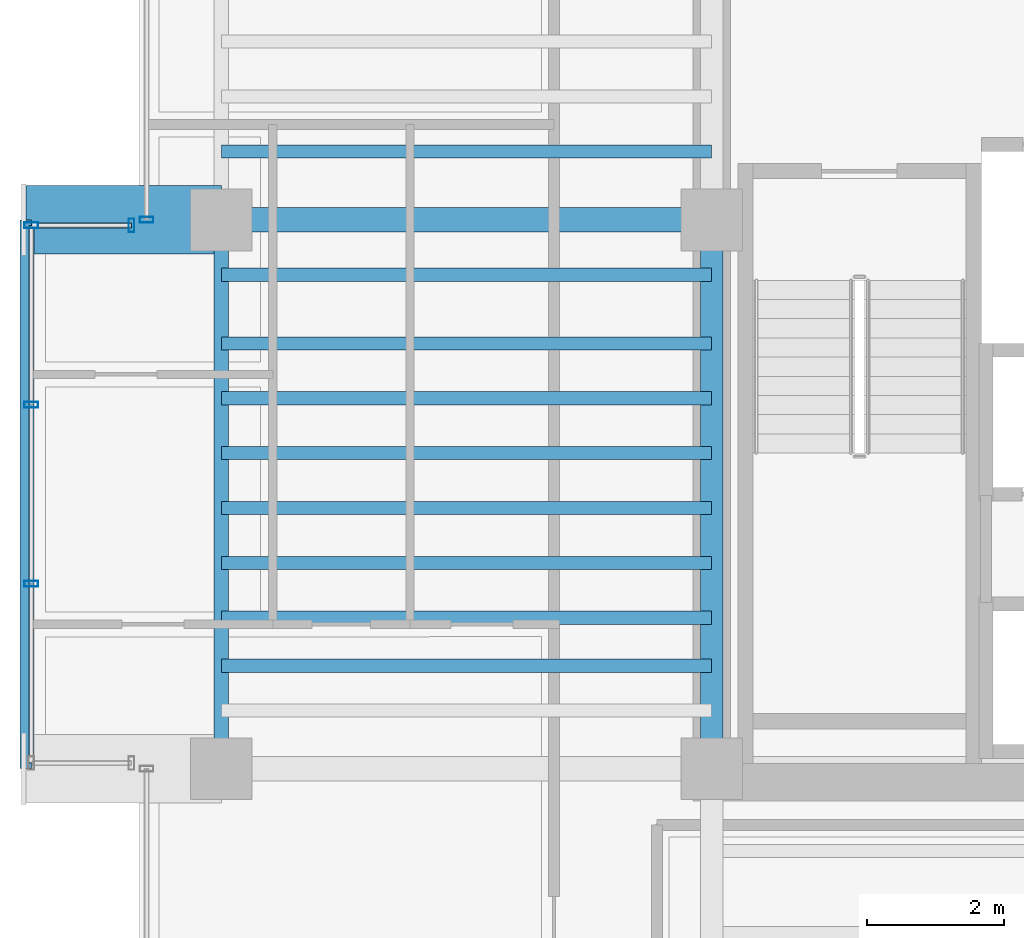
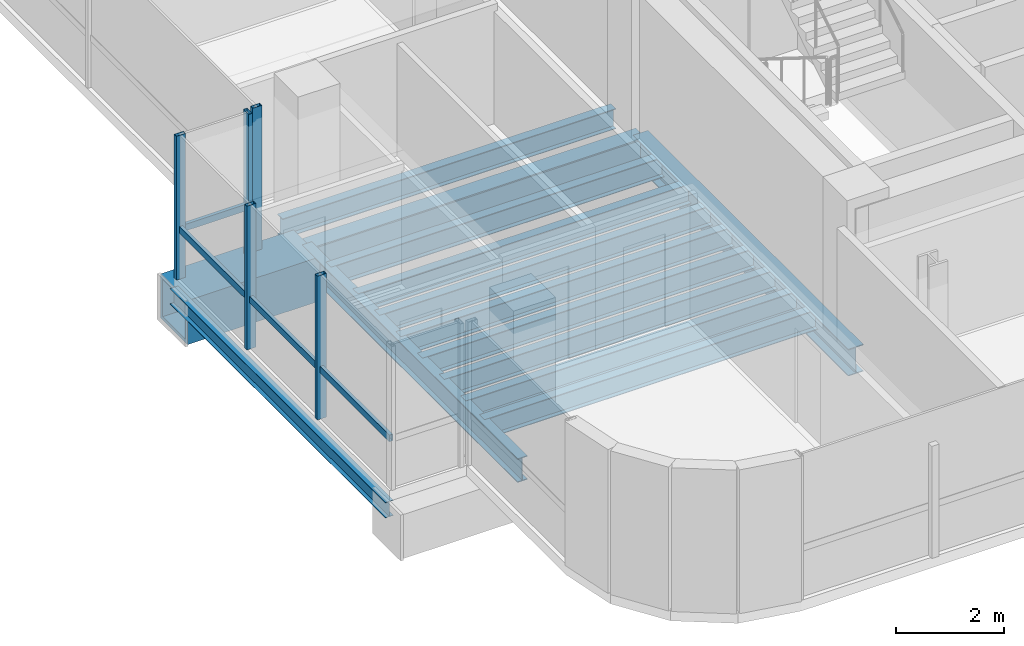
# One storey, part 4 of 24: 14 beams, 7 members, 3 elements without a shape of their own.
"""IFC4 building model written with IfcOpenShell, lengths in metres."""

import ifcopenshell
import ifcopenshell.guid

model = None  # the IFC model being written
_history = None  # IfcOwnerHistory: only IFC2X3 demands one
_inside = {}  # id of a spatial element -> (the spatial element, [elements in it])
_under = {}  # id of a project, library or spatial element -> (it, [spatial elements below it])
_declared = {}  # id of a project -> (the project, [libraries it declares])
_typed = {}  # id of a type object -> (the type object, [elements of that type])
_made_of = {}  # id of a material, layer set ... -> (it, [elements and type objects made of it])


def new_model(schema):
    """Start an empty IFC model of exactly this schema.

    Asked for "IFC4X3", IfcOpenShell would pick the latest addendum, in which some entities
    have other attributes; the version numbers below select the first issue.
    IFC2X3 requires an IfcOwnerHistory on every rooted entity: one is made here for all.
    """
    global model, _history
    if schema == "IFC4X3":
        model = ifcopenshell.file(schema_version=(4, 3, 0, 0))
    else:
        model = ifcopenshell.file(schema=schema)
    _inside.clear()
    _under.clear()
    _declared.clear()
    _typed.clear()
    _made_of.clear()
    _history = None
    if model.schema == "IFC2X3":
        org = make("IfcOrganization", Name="unknown")
        user = make(
            "IfcPersonAndOrganization",
            ThePerson=make("IfcPerson", FamilyName="unknown"),
            TheOrganization=org,
        )
        app = make(
            "IfcApplication",
            ApplicationDeveloper=org,
            Version="unknown",
            ApplicationFullName="unknown",
            ApplicationIdentifier="unknown",
        )
        _history = make(
            "IfcOwnerHistory",
            OwningUser=user,
            OwningApplication=app,
            ChangeAction="ADDED",
            CreationDate=0,
        )
    return model


def make(cls, **values):
    """One entity of the class cls with the attributes given. An attribute that is None is left unset."""
    return model.create_entity(
        cls, **{name: value for name, value in values.items() if value is not None}
    )


def rooted(cls, **values):
    """An entity with a GlobalId (a new one), such as an element, a storey or a relation."""
    return make(cls, GlobalId=ifcopenshell.guid.new(), OwnerHistory=_history, **values)


def si_unit(unit_type, name, prefix=None):
    """IfcSIUnit, for example si_unit("LENGTHUNIT", "METRE", prefix="MILLI")."""
    return make("IfcSIUnit", UnitType=unit_type, Prefix=prefix, Name=name)


def assignment(units):
    """IfcUnitAssignment: the units of a project."""
    return None if units is None else make("IfcUnitAssignment", Units=units)


def point(xyz):
    """IfcCartesianPoint."""
    return None if xyz is None else make("IfcCartesianPoint", Coordinates=xyz)


def direction(xyz):
    """IfcDirection."""
    return None if xyz is None else make("IfcDirection", DirectionRatios=xyz)


def frame(location, z_axis=None, x_axis=None):
    """IfcAxis2Placement3D, a coordinate frame: its origin and axes. An axis left out is left unset."""
    return make(
        "IfcAxis2Placement3D",
        Location=point(location),
        Axis=direction(z_axis),
        RefDirection=direction(x_axis),
    )


def frame_2d(location, x_axis=None):
    """IfcAxis2Placement2D, a coordinate frame in the plane: its origin and x axis."""
    return make(
        "IfcAxis2Placement2D", Location=point(location), RefDirection=direction(x_axis)
    )


def origin():
    """The frame at (0, 0, 0) with its axes left unset."""
    return frame((0.0, 0.0, 0.0))


def origin_2d():
    """The frame at (0, 0) in the plane with its x axis left unset."""
    return frame_2d((0.0, 0.0))


def place(relative_to, where):
    """IfcLocalPlacement: puts the frame where relative to a parent placement (None: the world)."""
    return make(
        "IfcLocalPlacement", PlacementRelTo=relative_to, RelativePlacement=where
    )


def context(
    kind, dimensions, precision=None, world=None, true_north=None, identifier=None
):
    """IfcGeometricRepresentationContext, for example the 3D "Model" context."""
    return make(
        "IfcGeometricRepresentationContext",
        ContextIdentifier=identifier,
        ContextType=kind,
        CoordinateSpaceDimension=dimensions,
        Precision=precision,
        WorldCoordinateSystem=world,
        TrueNorth=true_north,
    )


def subcontext(parent, identifier, kind, view, scale=None):
    """IfcGeometricRepresentationSubContext, for example "Body" below "Model"."""
    return make(
        "IfcGeometricRepresentationSubContext",
        ContextIdentifier=identifier,
        ContextType=kind,
        ParentContext=parent,
        TargetScale=scale,
        TargetView=view,
    )


def project(units=None, contexts=None):
    """IfcProject with its units and contexts."""
    return rooted(
        "IfcProject",
        Name="project",
        RepresentationContexts=contexts,
        UnitsInContext=assignment(units),
    )


def spatial(cls, under=None, at=None, **own):
    """A site, building, storey or space (cls), placed at a placement, below another one or the project."""
    s = rooted(cls, ObjectPlacement=at, **own)
    if under is not None:
        _under.setdefault(under.id(), (under, []))[1].append(s)
    return s


def profile(cls, at=None, kind="AREA", **sizes):
    """A parametric profile (cls). Its sizes go by their IFC names, for example OverallWidth=200.0."""
    return make(cls, ProfileType=kind, Position=at, **sizes)


def hollow_rectangle(**sizes):
    """IfcRectangleHollowProfileDef."""
    return profile("IfcRectangleHollowProfileDef", **sizes)


def i_section(**sizes):
    """IfcIShapeProfileDef."""
    return profile("IfcIShapeProfileDef", **sizes)


def extrude(swept, where, along, depth):
    """IfcExtrudedAreaSolid: the profile swept, set in the frame where, extruded along a direction by depth."""
    return make(
        "IfcExtrudedAreaSolid",
        SweptArea=swept,
        Position=where,
        ExtrudedDirection=direction(along),
        Depth=depth,
    )


def shape(context_of_items, identifier, shape_type, items):
    """IfcShapeRepresentation: the items that make up one representation, for example the "Body"."""
    return make(
        "IfcShapeRepresentation",
        ContextOfItems=context_of_items,
        RepresentationIdentifier=identifier,
        RepresentationType=shape_type,
        Items=items,
    )


def source(mapping_origin, context_of_items, identifier, shape_type, items):
    """IfcRepresentationMap: a shape defined once, which mapped items show again and again."""
    return make(
        "IfcRepresentationMap",
        MappingOrigin=mapping_origin,
        MappedRepresentation=shape(context_of_items, identifier, shape_type, items),
    )


def transform(
    local_origin,
    x_axis=None,
    y_axis=None,
    z_axis=None,
    scale=None,
    scale2=None,
    scale3=None,
    uniform=True,
):
    """IfcCartesianTransformationOperator3D, or its non-uniform kind. x_axis, y_axis, z_axis: its Axis1, 2, 3."""
    if uniform:
        return make(
            "IfcCartesianTransformationOperator3D",
            Axis1=direction(x_axis),
            Axis2=direction(y_axis),
            LocalOrigin=point(local_origin),
            Scale=scale,
            Axis3=direction(z_axis),
        )
    return make(
        "IfcCartesianTransformationOperator3DnonUniform",
        Axis1=direction(x_axis),
        Axis2=direction(y_axis),
        LocalOrigin=point(local_origin),
        Scale=scale,
        Axis3=direction(z_axis),
        Scale2=scale2,
        Scale3=scale3,
    )


def mapped(mapping_source, mapping_target):
    """IfcMappedItem: shows the shape of a source again, moved by a transform."""
    return make(
        "IfcMappedItem", MappingSource=mapping_source, MappingTarget=mapping_target
    )


def material(Name=None, Category=None):
    """IfcMaterial."""
    return make("IfcMaterial", Name=Name, Category=Category)


def material_profile(
    of_material, cross_section, Name=None, Category=None, Priority=None
):
    """IfcMaterialProfile: a cross section and its material."""
    return make(
        "IfcMaterialProfile",
        Name=Name,
        Material=of_material,
        Profile=cross_section,
        Priority=Priority,
        Category=Category,
    )


def profile_set(profiles, Name=None, composite=None):
    """IfcMaterialProfileSet."""
    return make(
        "IfcMaterialProfileSet",
        Name=Name,
        MaterialProfiles=profiles,
        CompositeProfile=composite,
    )


def made_of(thing, what):
    """Note that an element or type object is made of a material, layer set ...; save() writes the relation."""
    if what is not None:
        _made_of.setdefault(what.id(), (what, []))[1].append(thing)
    return thing


def type_object(cls, material=None, **own):
    """A type object (cls), such as IfcWallType, which elements share."""
    return made_of(rooted(cls, **own), material)


def element(
    cls,
    number,
    at=None,
    inside=None,
    cuts=None,
    type_object=None,
    material=None,
    context=None,
    identifier="Body",
    shape_type=None,
    held_by="IfcProductDefinitionShape",
    body=None,
    shapes=None,
    **own,
):
    """One element of the class cls, such as IfcWall. Its Tag is "e" and its number.

    at: its placement. inside: the storey or other place that contains it. cuts: it is an
    opening in that element (IfcRelVoidsElement). A single representation is given by context,
    identifier, shape_type and body (its items); several are given by shapes. held_by: the class
    of the entity that holds the representations. save() writes the other relations.
    """
    e = rooted(cls, Tag="e%d" % number, ObjectPlacement=at, **own)
    if body is not None:
        shapes = [shape(context, identifier, shape_type, body)]
    if shapes is not None:
        e.Representation = make(held_by, Representations=shapes)
    if inside is not None:
        _inside.setdefault(inside.id(), (inside, []))[1].append(e)
    if cuts is not None:
        rooted(
            "IfcRelVoidsElement", RelatingBuildingElement=cuts, RelatedOpeningElement=e
        )
    if type_object is not None:
        _typed.setdefault(type_object.id(), (type_object, []))[1].append(e)
    return made_of(e, material)


def aggregate(whole, parts):
    """IfcRelAggregates: a whole, such as a stair, and the parts it consists of."""
    return rooted("IfcRelAggregates", RelatingObject=whole, RelatedObjects=parts)


def save(model, path):
    """Write the relations noted so far, then the file.

    IfcRelAggregates (storeys below a building ...), IfcRelContainedInSpatialStructure (elements
    in a storey), IfcRelDefinesByType, IfcRelAssociatesMaterial and IfcRelDeclares: one each for
    every whole, place, type object, material and project.
    """
    for whole, parts in _under.values():
        aggregate(whole, parts)
    for where, things in _inside.values():
        rooted(
            "IfcRelContainedInSpatialStructure",
            RelatedElements=things,
            RelatingStructure=where,
        )
    for kind, things in _typed.values():
        rooted("IfcRelDefinesByType", RelatedObjects=things, RelatingType=kind)
    for what, things in _made_of.values():
        rooted("IfcRelAssociatesMaterial", RelatedObjects=things, RelatingMaterial=what)
    for by, libraries in _declared.values():
        rooted("IfcRelDeclares", RelatingContext=by, RelatedDefinitions=libraries)
    model.write(path)


model = new_model("IFC4")

# Units and contexts
model_context = context("Model", 3, precision=1e-05, world=origin(), true_north=direction((0.0, 1.0)))
body_context = subcontext(model_context, "Body", "Model", "MODEL_VIEW")
ifc_project = project(units=[si_unit("LENGTHUNIT", "METRE"), si_unit("AREAUNIT", "SQUARE_METRE"), si_unit("VOLUMEUNIT", "CUBIC_METRE"), si_unit("PLANEANGLEUNIT", "RADIAN"), si_unit("MASSUNIT", "GRAM", prefix="KILO")], contexts=[model_context])

# Site, building, storey
site_placement = place(None, origin())
site = spatial("IfcSite", under=ifc_project, at=site_placement, CompositionType="ELEMENT")
building_placement = place(site_placement, origin())
building = spatial("IfcBuilding", under=site, at=building_placement, Name="Valdorenza Pilgrim Sanctuary Tower", CompositionType="ELEMENT")
storey_placement = place(building_placement, frame((0.0, 0.0, 205.5)))
storey = spatial("IfcBuildingStorey", under=building, at=storey_placement, Name="L52", CompositionType="ELEMENT", Elevation=205.5)

# Beams
ifc_material_1 = material(Name="Steel ASTM A992 Grade 50", Category="steel")
ifc_material_profile_1 = material_profile(ifc_material_1, i_section(OverallWidth=0.323974609375, OverallDepth=0.611083984375, WebThickness=0.0126953125, FlangeThickness=0.01904296875, at=origin_2d()), Name="W24X104")
ifc_profile_set_1 = profile_set([ifc_material_profile_1], Name="Steel ASTM A992 Grade 50")
beam_type_1 = type_object("IfcBeamType", Name="STR-BM-GRD-W24B", PredefinedType="BEAM", material=ifc_profile_set_1)
shared_shape_1 = source(origin(), body_context, "Body", "SweptSolid", [
    extrude(i_section(OverallWidth=0.323974609375, OverallDepth=0.611083984375, WebThickness=0.0126953125, FlangeThickness=0.01904296875, at=origin_2d()), origin(), (0.0, 0.0, 1.0), 8.0),
])
beam_1_placement = place(storey_placement, frame((-22.64990234375, -10.60009765625, -0.54541015625), z_axis=(0.0, 1.0, 0.0), x_axis=(-1.0, 0.0, 0.0)))
element("IfcBeam", 1, at=beam_1_placement, inside=storey, type_object=beam_type_1, Name="L52 Core Tie Girder CA-W-S1M0", PredefinedType="BEAM", context=body_context, shape_type="MappedRepresentation", body=[
    mapped(shared_shape_1, transform((0.0, 0.0, 0.0), x_axis=(1.0, 0.0, 0.0), y_axis=(0.0, 1.0, 0.0), z_axis=(0.0, 0.0, 1.0), scale=1.0)),
])
ifc_material_profile_2 = material_profile(ifc_material_1, i_section(OverallWidth=0.1708984375, OverallDepth=0.35107421875, WebThickness=0.0068359375, FlangeThickness=0.009765625, at=origin_2d()), Name="W14X30")
ifc_profile_set_2 = profile_set([ifc_material_profile_2], Name="Steel ASTM A992 Grade 50")
beam_type_2 = type_object("IfcBeamType", Name="STR-BM-BOX-W14", PredefinedType="BEAM", material=ifc_profile_set_2)
shared_shape_2 = source(origin(), body_context, "Body", "SweptSolid", [
    extrude(i_section(OverallWidth=0.1708984375, OverallDepth=0.35107421875, WebThickness=0.0068359375, FlangeThickness=0.009765625, at=origin_2d()), origin(), (0.0, 0.0, 1.0), 8.0),
])
beam_2_placement = place(storey_placement, frame((-32.64990234375, -10.60009765625, -0.41552734375), z_axis=(0.0, 1.0, 0.0), x_axis=(-1.0, 0.0, 0.0)))
element("IfcBeam", 2, at=beam_2_placement, inside=storey, type_object=beam_type_2, Name="L52 Glass Box Edge Beam BOX-WA-L52-F", PredefinedType="BEAM", context=body_context, shape_type="MappedRepresentation", body=[
    mapped(shared_shape_2, transform((0.0, 0.0, 0.0), x_axis=(1.0, 0.0, 0.0), y_axis=(0.0, 1.0, 0.0), z_axis=(0.0, 0.0, 1.0), scale=1.0)),
])
ifc_material_profile_3 = material_profile(ifc_material_1, i_section(OverallWidth=0.19091796875, OverallDepth=0.45703125, WebThickness=0.009033203125, FlangeThickness=0.014404296875, at=origin_2d()), Name="W18X50")
ifc_profile_set_3 = profile_set([ifc_material_profile_3], Name="Steel ASTM A992 Grade 50")
beam_type_3 = type_object("IfcBeamType", Name="STR-BM-JST-W18B", PredefinedType="JOIST", material=ifc_profile_set_3)
shared_shape_3 = source(origin(), body_context, "Body", "SweptSolid", [
    extrude(i_section(OverallWidth=0.19091796875, OverallDepth=0.45703125, WebThickness=0.009033203125, FlangeThickness=0.014404296875, at=origin_2d()), origin(), (0.0, 0.0, 1.0), 7.150146484375),
])
for number, where, z_axis, x_axis, name in (
    (3, (-29.800048828125, -9.10009765625, -0.468505859375), (1.0, 0.0, 0.0), (0.0, 1.0, 0.0), "L52 Composite Floor Joist JST-WA-2"),
    (4, (-29.800048828125, -8.39990234375, -0.468505859375), (1.0, 0.0, 0.0), (0.0, 1.0, 0.0), "L52 Composite Floor Joist JST-WA-3"),
    (5, (-29.800048828125, -7.60009765625, -0.468505859375), (1.0, 0.0, 0.0), (0.0, 1.0, 0.0), "L52 Composite Floor Joist JST-WA-4"),
    (6, (-29.800048828125, -6.800048828125, -0.468505859375), (1.0, 0.0, 0.0), (0.0, 1.0, 0.0), "L52 Composite Floor Joist JST-WA-5"),
    (7, (-29.800048828125, -6.0, -0.468505859375), (1.0, 0.0, 0.0), (0.0, 1.0, 0.0), "L52 Composite Floor Joist JST-WA-6"),
    (8, (-29.800048828125, -5.199951171875, -0.468505859375), (1.0, 0.0, 0.0), (0.0, 1.0, 0.0), "L52 Composite Floor Joist JST-WA-7"),
    (9, (-29.800048828125, -4.39990234375, -0.468505859375), (1.0, 0.0, 0.0), (0.0, 1.0, 0.0), "L52 Composite Floor Joist JST-WA-8"),
    (10, (-29.800048828125, -3.39990234375, -0.468505859375), (1.0, 0.0, 0.0), (0.0, 1.0, 0.0), "L52 Composite Floor Joist JST-WA-9"),
    (11, (-29.800048828125, -1.60009765625, -0.468505859375), (1.0, 0.0, 0.0), (0.0, 1.0, 0.0), "L52 Composite Floor Joist JST-WA-10"),
):
    element("IfcBeam", number, at=place(storey_placement, frame(where, z_axis=z_axis, x_axis=x_axis)), inside=storey, type_object=beam_type_3, Name=name, PredefinedType="JOIST", context=body_context, shape_type="MappedRepresentation", body=[
        mapped(shared_shape_3, transform((0.0, 0.0, 0.0), x_axis=(1.0, 0.0, 0.0), y_axis=(0.0, 1.0, 0.0), z_axis=(0.0, 0.0, 1.0), scale=1.0)),
    ])
ifc_material_2 = material(Name="Steel ASTM A572 Grade 42", Category="steel")
ifc_material_profile_4 = material_profile(ifc_material_2, hollow_rectangle(XDim=1.0, YDim=1.0, WallThickness=0.080078125, at=origin_2d()), Name="BOX 1000x1000x80")
ifc_profile_set_4 = profile_set([ifc_material_profile_4], Name="Steel ASTM A572 Grade 42")
beam_type_4 = type_object("IfcBeamType", Name="STR-BM-PROW-CANT", PredefinedType="BEAM", material=ifc_profile_set_4)
shared_shape_4 = source(origin(), body_context, "Body", "SweptSolid", [
    extrude(hollow_rectangle(XDim=1.0, YDim=1.0, WallThickness=0.080078125, at=origin_2d()), origin(), (0.0, 0.0, 1.0), 2.849853515625),
])
beam_3_placement = place(storey_placement, frame((-29.800048828125, -2.60009765625, -0.739990234375), z_axis=(-1.0, 0.0, 0.0), x_axis=(0.0, -1.0, 0.0)))
element("IfcBeam", 12, at=beam_3_placement, inside=storey, type_object=beam_type_4, Name="L52 Glass Box Cantilever Beam BOX-WA-L52-CT-N", PredefinedType="BEAM", context=body_context, shape_type="MappedRepresentation", body=[
    mapped(shared_shape_4, transform((0.0, 0.0, 0.0), x_axis=(1.0, 0.0, 0.0), y_axis=(0.0, 1.0, 0.0), z_axis=(0.0, 0.0, 1.0), scale=1.0)),
])
ifc_material_profile_5 = material_profile(ifc_material_1, i_section(OverallWidth=0.2109375, OverallDepth=0.5390625, WebThickness=0.01171875, FlangeThickness=0.018798828125, at=origin_2d()), Name="W21X73")
ifc_profile_set_5 = profile_set([ifc_material_profile_5], Name="Steel ASTM A992 Grade 50")
beam_type_5 = type_object("IfcBeamType", Name="STR-BM-SPN-W21B", PredefinedType="SPANDREL", material=ifc_profile_set_5)
shared_shape_5 = source(origin(), body_context, "Body", "SweptSolid", [
    extrude(i_section(OverallWidth=0.2109375, OverallDepth=0.5390625, WebThickness=0.01171875, FlangeThickness=0.018798828125, at=origin_2d()), origin(), (0.0, 0.0, 1.0), 8.0),
])
beam_4_placement = place(storey_placement, frame((-29.800048828125, -10.60009765625, -0.509521484375), z_axis=(0.0, 1.0, 0.0), x_axis=(-1.0, 0.0, 0.0)))
element("IfcBeam", 13, at=beam_4_placement, inside=storey, type_object=beam_type_5, Name="L52 Spandrel Beam WA-W-S1M0", PredefinedType="SPANDREL", context=body_context, shape_type="MappedRepresentation", body=[
    mapped(shared_shape_5, transform((0.0, 0.0, 0.0), x_axis=(1.0, 0.0, 0.0), y_axis=(0.0, 1.0, 0.0), z_axis=(0.0, 0.0, 1.0), scale=1.0)),
])
ifc_material_profile_6 = material_profile(ifc_material_1, i_section(OverallWidth=0.35595703125, OverallDepth=0.700927734375, WebThickness=0.016845703125, FlangeThickness=0.02734375, at=origin_2d()), Name="W27X161")
ifc_profile_set_6 = profile_set([ifc_material_profile_6], Name="Steel ASTM A992 Grade 50")
beam_type_6 = type_object("IfcBeamType", Name="STR-BM-GRD-W27", PredefinedType="BEAM", material=ifc_profile_set_6)
shared_shape_6 = source(origin(), body_context, "Body", "SweptSolid", [
    extrude(i_section(OverallWidth=0.35595703125, OverallDepth=0.700927734375, WebThickness=0.016845703125, FlangeThickness=0.02734375, at=origin_2d()), origin(), (0.0, 0.0, 1.0), 7.150146484375),
])
beam_5_placement = place(storey_placement, frame((-29.800048828125, -2.60009765625, -0.590576171875), z_axis=(1.0, 0.0, 0.0), x_axis=(0.0, 1.0, 0.0)))
element("IfcBeam", 14, at=beam_5_placement, inside=storey, type_object=beam_type_6, Name="L52 Floor Girder WA-XW-M0", PredefinedType="BEAM", context=body_context, shape_type="MappedRepresentation", body=[
    mapped(shared_shape_6, transform((0.0, 0.0, 0.0), x_axis=(1.0, 0.0, 0.0), y_axis=(0.0, 1.0, 0.0), z_axis=(0.0, 0.0, 1.0), scale=1.0)),
])

# Curtain wall, member
ifc_material_3 = material(Name="Curtain-wall IGU glazing", Category="glass")
curtain_wall_type = type_object("IfcCurtainWallType", Name="CW-SYS-02", PredefinedType="NOTDEFINED", material=ifc_material_3)
curtain_wall_1_placement = place(storey_placement, origin())
curtain_wall_1 = element("IfcCurtainWall", 15, at=curtain_wall_1_placement, inside=storey, type_object=curtain_wall_type, Name="L52 Curtain Wall CW-L52-BOX-WA-L52-N", PredefinedType="NOTDEFINED")
ifc_material_4 = material(Name="Anodised aluminium AW-6060", Category="aluminium")
ifc_material_profile_7 = material_profile(ifc_material_4, hollow_rectangle(XDim=0.074951171875, YDim=0.14990234375, WallThickness=0.00390625, at=origin_2d()), Name="ALU-T 150x75x4")
ifc_profile_set_7 = profile_set([ifc_material_profile_7], Name="Anodised aluminium AW-6060")
member_type_1 = type_object("IfcMemberType", Name="CW-TRN-02", PredefinedType="USERDEFINED", material=ifc_profile_set_7)
shared_shape_7 = source(origin(), body_context, "Body", "SweptSolid", [
    extrude(hollow_rectangle(XDim=0.074951171875, YDim=0.14990234375, WallThickness=0.00390625, at=origin_2d()), origin(), (0.0, 0.0, 1.0), 1.4599609375),
])
member_1_placement = place(storey_placement, frame((-32.570068359375, -2.679931640625, 1.1201171875), z_axis=(1.0, 0.0, 0.0), x_axis=(0.0, 1.0, 0.0)))
member_1 = element("IfcMember", 16, at=member_1_placement, type_object=member_type_1, Name="CW-L52-BOX-WA-L52-N Transom 1", ObjectType="TRANSOM", PredefinedType="USERDEFINED", context=body_context, shape_type="MappedRepresentation", body=[
    mapped(shared_shape_7, transform((0.0, 0.0, 0.0), x_axis=(1.0, 0.0, 0.0), y_axis=(0.0, 1.0, 0.0), z_axis=(0.0, 0.0, 1.0), scale=1.0)),
])

curtain_wall_2_placement = place(storey_placement, origin())
curtain_wall_2 = element("IfcCurtainWall", 17, at=curtain_wall_2_placement, inside=storey, type_object=curtain_wall_type, Name="L52 Curtain Wall CW-L52-BOX-WA-L52-F", PredefinedType="NOTDEFINED")
shared_shape_8 = source(origin(), body_context, "Body", "SweptSolid", [
    extrude(hollow_rectangle(XDim=0.074951171875, YDim=0.14990234375, WallThickness=0.00390625, at=origin_2d()), origin(), (0.0, 0.0, 1.0), 7.840087890625),
])
member_2_placement = place(storey_placement, frame((-32.570068359375, -10.52001953125, 1.1201171875), z_axis=(0.0, 1.0, 0.0), x_axis=(-1.0, 0.0, 0.0)))
member_2 = element("IfcMember", 18, at=member_2_placement, type_object=member_type_1, Name="CW-L52-BOX-WA-L52-F Transom 1", ObjectType="TRANSOM", PredefinedType="USERDEFINED", context=body_context, shape_type="MappedRepresentation", body=[
    mapped(shared_shape_8, transform((0.0, 0.0, 0.0), x_axis=(1.0, 0.0, 0.0), y_axis=(0.0, 1.0, 0.0), z_axis=(0.0, 0.0, 1.0), scale=1.0)),
])

curtain_wall_3_placement = place(storey_placement, origin())
curtain_wall_3 = element("IfcCurtainWall", 19, at=curtain_wall_3_placement, inside=storey, type_object=curtain_wall_type, Name="L52 Curtain Wall CW-L52-1-1S2", PredefinedType="NOTDEFINED")
ifc_material_profile_8 = material_profile(ifc_material_4, hollow_rectangle(XDim=0.0849609375, YDim=0.199951171875, WallThickness=0.0048828125, at=origin_2d()), Name="ALU-M 200x85x5")
ifc_profile_set_8 = profile_set([ifc_material_profile_8], Name="Anodised aluminium AW-6060")
member_type_2 = type_object("IfcMemberType", Name="CW-MUL-02", PredefinedType="MULLION", material=ifc_profile_set_8)
shared_shape_9 = source(origin(), body_context, "Body", "SweptSolid", [
    extrude(hollow_rectangle(XDim=0.0849609375, YDim=0.199951171875, WallThickness=0.0048828125, at=origin_2d()), origin(), (0.0, 0.0, 1.0), 3.260009765625),
])
member_3_placement = place(storey_placement, frame((-30.889892578125, -2.60009765625, 0.0), z_axis=(0.0, 0.0, 1.0), x_axis=(0.0, 1.0, 0.0)))
member_3 = element("IfcMember", 20, at=member_3_placement, type_object=member_type_2, Name="CW-L52-1-1S2 Mullion 1", PredefinedType="MULLION", context=body_context, shape_type="MappedRepresentation", body=[
    mapped(shared_shape_9, transform((0.0, 0.0, 0.0), x_axis=(1.0, 0.0, 0.0), y_axis=(0.0, 1.0, 0.0), z_axis=(0.0, 0.0, 1.0), scale=1.0)),
])
aggregate(curtain_wall_3, [member_3])

# Member
member_4_placement = place(storey_placement, frame((-32.570068359375, -7.90673828125, 0.0), z_axis=(0.0, 0.0, 1.0), x_axis=(0.0, 1.0, 0.0)))
member_4 = element("IfcMember", 21, at=member_4_placement, type_object=member_type_2, Name="CW-L52-BOX-WA-L52-F Mullion 2", PredefinedType="MULLION", context=body_context, shape_type="MappedRepresentation", body=[
    mapped(shared_shape_9, transform((0.0, 0.0, 0.0), x_axis=(1.0, 0.0, 0.0), y_axis=(0.0, 1.0, 0.0), z_axis=(0.0, 0.0, 1.0), scale=1.0)),
])

member_5_placement = place(storey_placement, frame((-32.570068359375, -5.293212890625, 0.0), z_axis=(0.0, 0.0, 1.0), x_axis=(0.0, 1.0, 0.0)))
member_5 = element("IfcMember", 22, at=member_5_placement, type_object=member_type_2, Name="CW-L52-BOX-WA-L52-F Mullion 3", PredefinedType="MULLION", context=body_context, shape_type="MappedRepresentation", body=[
    mapped(shared_shape_9, transform((0.0, 0.0, 0.0), x_axis=(1.0, 0.0, 0.0), y_axis=(0.0, 1.0, 0.0), z_axis=(0.0, 0.0, 1.0), scale=1.0)),
])

member_6_placement = place(storey_placement, frame((-32.570068359375, -2.679931640625, 0.0), z_axis=(0.0, 0.0, 1.0), x_axis=(0.0, 1.0, 0.0)))
member_6 = element("IfcMember", 23, at=member_6_placement, type_object=member_type_2, Name="CW-L52-BOX-WA-L52-F Mullion 4", PredefinedType="MULLION", context=body_context, shape_type="MappedRepresentation", body=[
    mapped(shared_shape_9, transform((0.0, 0.0, 0.0), x_axis=(1.0, 0.0, 0.0), y_axis=(0.0, 1.0, 0.0), z_axis=(0.0, 0.0, 1.0), scale=1.0)),
])

aggregate(curtain_wall_2, [member_4, member_5, member_6, member_2])

member_7_placement = place(storey_placement, frame((-31.110107421875, -2.679931640625, 0.0), z_axis=(0.0, 0.0, 1.0), x_axis=(1.0, 0.0, 0.0)))
member_7 = element("IfcMember", 24, at=member_7_placement, type_object=member_type_2, Name="CW-L52-BOX-WA-L52-N Mullion 2", PredefinedType="MULLION", context=body_context, shape_type="MappedRepresentation", body=[
    mapped(shared_shape_9, transform((0.0, 0.0, 0.0), x_axis=(1.0, 0.0, 0.0), y_axis=(0.0, 1.0, 0.0), z_axis=(0.0, 0.0, 1.0), scale=1.0)),
])

aggregate(curtain_wall_1, [member_7, member_1])

save(model, "model.ifc")
